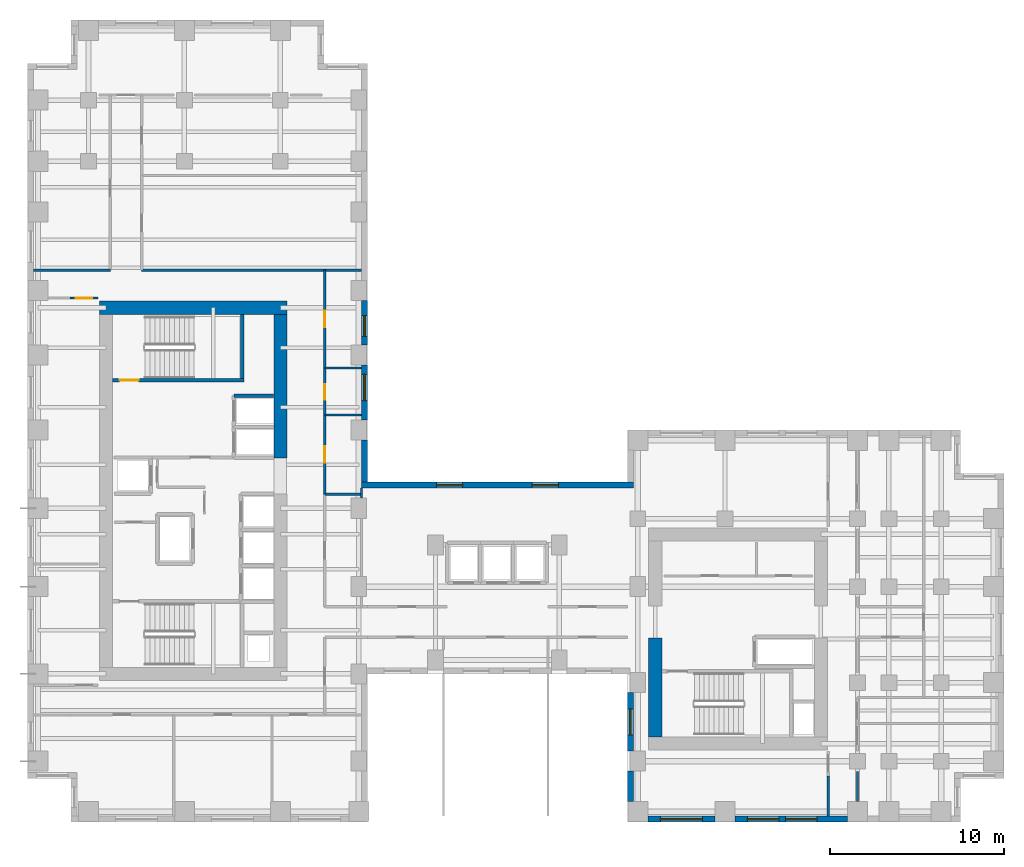
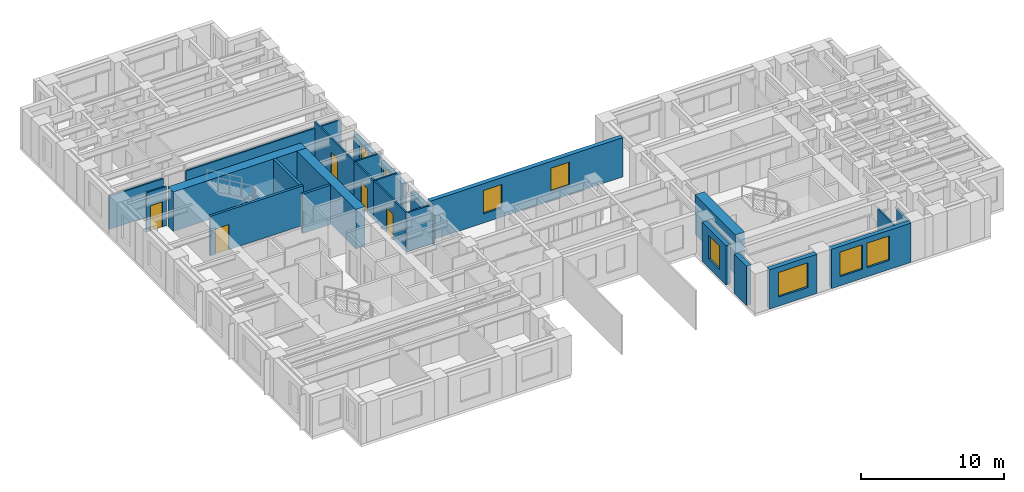
# One storey, part 6 of 11: 26 walls, 8 windows, 5 doors, 13 openings.
"""IFC4 building model written with IfcOpenShell, lengths in metres."""

from ifc_helpers import new_model, si_unit, direction, frame, frame_2d, origin, place, context, subcontext, project, spatial, rectangle, extrude, source, transform, mapped, material, layer, layer_set, type_object, element, fill, save


model = new_model("IFC4")

# Units and contexts
model_context = context("Model", 3, precision=1e-05, world=origin(), true_north=direction((0.0, 1.0)))
body_context = subcontext(model_context, "Body", "Model", "MODEL_VIEW")
ifc_project = project(units=[si_unit("LENGTHUNIT", "METRE"), si_unit("AREAUNIT", "SQUARE_METRE"), si_unit("VOLUMEUNIT", "CUBIC_METRE"), si_unit("PLANEANGLEUNIT", "RADIAN"), si_unit("MASSUNIT", "GRAM", prefix="KILO")], contexts=[model_context])

# Site, building, storey
site_placement = place(None, origin())
site = spatial("IfcSite", under=ifc_project, at=site_placement, CompositionType="ELEMENT")
building_placement = place(site_placement, origin())
building = spatial("IfcBuilding", under=site, at=building_placement, Name="Kharzan Plaza Tower", CompositionType="ELEMENT")
storey_placement = place(building_placement, frame((0.0, 0.0, 120.60009765625)))
storey = spatial("IfcBuildingStorey", under=building, at=storey_placement, Name="L32", CompositionType="ELEMENT", Elevation=120.60009765625)

# Wall, opening, window
ifc_material_1 = material(Name="Concrete C40/50", Category="concrete")
ifc_layer_1 = layer(ifc_material_1, 0.35009765625)
ifc_layer_set_1 = layer_set([ifc_layer_1], Name="Concrete C40/50")
wall_type_1 = type_object("IfcWallType", Name="WL-EXT-MAS-Z2", PredefinedType="SOLIDWALL", material=ifc_layer_set_1)
wall_1_placement = place(storey_placement, frame((19.324951171875, 23.072998046875, 0.0), z_axis=(0.0, 0.0, 1.0), x_axis=(0.0, 1.0, 0.0)))
wall_1 = element("IfcWall", 1, at=wall_1_placement, inside=storey, type_object=wall_type_1, Name="L32 Masonry-Frame Exterior Wall 02", PredefinedType="SOLIDWALL", context=body_context, shape_type="SweptSolid", body=[
    extrude(rectangle(XDim=3.154052734375, YDim=0.35009765625, at=frame_2d((1.5771484375, 0.0))), origin(), (0.0, 0.0, 1.0), 2.518798828125),
])
opening_1_placement = place(wall_1_placement, frame((1.10546875, 0.0, 0.780029296875)))
opening_1 = element("IfcOpeningElement", 2, at=opening_1_placement, cuts=wall_1, Name="Opening W5", PredefinedType="OPENING", context=body_context, shape_type="SweptSolid", body=[
    extrude(rectangle(XDim=1.5, YDim=1.55908203125, at=frame_2d((0.75, 0.779541015625))), frame((0.0, 0.18505859375, 0.0), z_axis=(0.0, -1.0, 0.0), x_axis=(1.0, 0.0, 0.0)), (0.0, 0.0, 1.0), 0.3701171875),
])
ifc_material_2 = material(Name="Low-E Double Glazing", Category="glass")
window_type_1 = type_object("IfcWindowType", Name="WN-SLT-1500x2000", PartitioningType="SINGLE_PANEL", PredefinedType="WINDOW", material=ifc_material_2)
shared_shape_1 = source(origin(), body_context, "Body", "SweptSolid", [
    extrude(rectangle(XDim=1.5, YDim=1.55908203125, at=frame_2d((0.75, 0.779541015625))), frame((0.0, 0.030029296875, 0.0), z_axis=(0.0, -1.0, 0.0), x_axis=(1.0, 0.0, 0.0)), (0.0, 0.0, 1.0), 0.06005859375),
])
window_1_placement = place(opening_1_placement, origin())
window_1 = element("IfcWindow", 3, at=window_1_placement, inside=storey, type_object=window_type_1, Name="L32 Recessed Solar-Control Window 02-1", OverallHeight=1.55908203125, OverallWidth=1.5, PartitioningType="SINGLE_PANEL", PredefinedType="WINDOW", context=body_context, shape_type="MappedRepresentation", body=[
    mapped(shared_shape_1, transform((0.0, 0.0, 0.0), x_axis=(1.0, 0.0, 0.0), y_axis=(0.0, 1.0, 0.0), z_axis=(0.0, 0.0, 1.0))),
])
fill(opening_1, window_1)

wall_2_placement = place(storey_placement, frame((19.324951171875, 27.373046875, 0.0), z_axis=(0.0, 0.0, 1.0), x_axis=(0.0, 1.0, 0.0)))
wall_2 = element("IfcWall", 4, at=wall_2_placement, inside=storey, type_object=wall_type_1, Name="L32 Masonry-Frame Exterior Wall 03", PredefinedType="SOLIDWALL", context=body_context, shape_type="SweptSolid", body=[
    extrude(rectangle(XDim=2.553955078125, YDim=0.35009765625, at=frame_2d((1.27685546875, 0.0))), origin(), (0.0, 0.0, 1.0), 2.518798828125),
])
opening_2_placement = place(wall_2_placement, frame((0.47998046875, 0.0, 0.780029296875)))
opening_2 = element("IfcOpeningElement", 5, at=opening_2_placement, cuts=wall_2, Name="Opening W3", PredefinedType="OPENING", context=body_context, shape_type="SweptSolid", body=[
    extrude(rectangle(XDim=1.199951171875, YDim=1.55908203125, at=frame_2d((0.60009765625, 0.779541015625))), frame((0.0, 0.18505859375, 0.0), z_axis=(0.0, -1.0, 0.0), x_axis=(1.0, 0.0, 0.0)), (0.0, 0.0, 1.0), 0.3701171875),
])
window_type_2 = type_object("IfcWindowType", Name="WN-REC-1200x2100", PartitioningType="SINGLE_PANEL", PredefinedType="WINDOW", material=ifc_material_2)
shared_shape_2 = source(origin(), body_context, "Body", "SweptSolid", [
    extrude(rectangle(XDim=1.199951171875, YDim=1.55908203125, at=frame_2d((0.60009765625, 0.779541015625))), frame((0.0, 0.030029296875, 0.0), z_axis=(0.0, -1.0, 0.0), x_axis=(1.0, 0.0, 0.0)), (0.0, 0.0, 1.0), 0.06005859375),
])
window_2_placement = place(opening_2_placement, origin())
window_2 = element("IfcWindow", 6, at=window_2_placement, inside=storey, type_object=window_type_2, Name="L32 Recessed Solar-Control Window 03-1", OverallHeight=1.55908203125, OverallWidth=1.199951171875, PartitioningType="SINGLE_PANEL", PredefinedType="WINDOW", context=body_context, shape_type="MappedRepresentation", body=[
    mapped(shared_shape_2, transform((0.0, 0.0, 0.0), x_axis=(1.0, 0.0, 0.0), y_axis=(0.0, 1.0, 0.0), z_axis=(0.0, 0.0, 1.0))),
])
fill(opening_2, window_2)

wall_3_placement = place(storey_placement, frame((34.574951171875, 7.427001953125, 0.0), z_axis=(0.0, 0.0, 1.0), x_axis=(0.0, -1.0, 0.0)))
wall_3 = element("IfcWall", 7, at=wall_3_placement, inside=storey, type_object=wall_type_1, Name="L32 Masonry-Frame Exterior Wall 37", PredefinedType="SOLIDWALL", context=body_context, shape_type="SweptSolid", body=[
    extrude(rectangle(XDim=3.35400390625, YDim=0.35009765625, at=frame_2d((1.677001953125, 0.0))), origin(), (0.0, 0.0, 1.0), 3.364990234375),
])
opening_3_placement = place(wall_3_placement, frame((0.927001953125, 0.0, 0.780029296875)))
opening_3 = element("IfcOpeningElement", 8, at=opening_3_placement, cuts=wall_3, Name="Opening W5", PredefinedType="OPENING", context=body_context, shape_type="SweptSolid", body=[
    extrude(rectangle(XDim=1.5, YDim=2.0, at=frame_2d((0.75, 1.0))), frame((0.0, 0.18505859375, 0.0), z_axis=(0.0, -1.0, 0.0), x_axis=(1.0, 0.0, 0.0)), (0.0, 0.0, 1.0), 0.3701171875),
])
shared_shape_3 = source(origin(), body_context, "Body", "SweptSolid", [
    extrude(rectangle(XDim=1.5, YDim=2.0, at=frame_2d((0.75, 1.0))), frame((0.0, 0.030029296875, 0.0), z_axis=(0.0, -1.0, 0.0), x_axis=(1.0, 0.0, 0.0)), (0.0, 0.0, 1.0), 0.06005859375),
])
window_3_placement = place(opening_3_placement, origin())
window_3 = element("IfcWindow", 9, at=window_3_placement, inside=storey, type_object=window_type_1, Name="L32 Recessed Solar-Control Window 37-1", OverallHeight=2.0, OverallWidth=1.5, PartitioningType="SINGLE_PANEL", PredefinedType="WINDOW", context=body_context, shape_type="MappedRepresentation", body=[
    mapped(shared_shape_3, transform((0.0, 0.0, 0.0), x_axis=(1.0, 0.0, 0.0), y_axis=(0.0, 1.0, 0.0), z_axis=(0.0, 0.0, 1.0))),
])
fill(opening_3, window_3)

wall_4_placement = place(storey_placement, frame((35.572998046875, 0.175048828125, 0.0), z_axis=(0.0, 0.0, 1.0), x_axis=(1.0, 0.0, 0.0)))
wall_4 = element("IfcWall", 10, at=wall_4_placement, inside=storey, type_object=wall_type_1, Name="L32 Masonry-Frame Exterior Wall 39", PredefinedType="SOLIDWALL", context=body_context, shape_type="SweptSolid", body=[
    extrude(rectangle(XDim=3.85400390625, YDim=0.35009765625, at=frame_2d((1.927001953125, 0.0))), origin(), (0.0, 0.0, 1.0), 3.364990234375),
])
opening_4_placement = place(wall_4_placement, frame((0.72705078125, 0.0, 0.780029296875)))
opening_4 = element("IfcOpeningElement", 11, at=opening_4_placement, cuts=wall_4, Name="Opening W2", PredefinedType="OPENING", context=body_context, shape_type="SweptSolid", body=[
    extrude(rectangle(XDim=2.39990234375, YDim=2.10009765625, at=frame_2d((1.199951171875, 1.050048828125))), frame((0.0, 0.18505859375, 0.0), z_axis=(0.0, -1.0, 0.0), x_axis=(1.0, 0.0, 0.0)), (0.0, 0.0, 1.0), 0.3701171875),
])
window_type_3 = type_object("IfcWindowType", Name="WN-REC-2400x2100", PartitioningType="SINGLE_PANEL", PredefinedType="WINDOW", material=ifc_material_2)
shared_shape_4 = source(origin(), body_context, "Body", "SweptSolid", [
    extrude(rectangle(XDim=2.39990234375, YDim=2.10009765625, at=frame_2d((1.199951171875, 1.050048828125))), frame((0.0, 0.030029296875, 0.0), z_axis=(0.0, -1.0, 0.0), x_axis=(1.0, 0.0, 0.0)), (0.0, 0.0, 1.0), 0.06005859375),
])
window_4_placement = place(opening_4_placement, origin())
window_4 = element("IfcWindow", 12, at=window_4_placement, inside=storey, type_object=window_type_3, Name="L32 Wide Recessed Solar-Control Window 39-1", OverallHeight=2.10009765625, OverallWidth=2.39990234375, PartitioningType="SINGLE_PANEL", PredefinedType="WINDOW", context=body_context, shape_type="MappedRepresentation", body=[
    mapped(shared_shape_4, transform((0.0, 0.0, 0.0), x_axis=(1.0, 0.0, 0.0), y_axis=(0.0, 1.0, 0.0), z_axis=(0.0, 0.0, 1.0))),
])
fill(opening_4, window_4)

# Wall, openings, windows
wall_5_placement = place(storey_placement, frame((40.572998046875, 0.175048828125, 0.0), z_axis=(0.0, 0.0, 1.0), x_axis=(1.0, 0.0, 0.0)))
wall_5 = element("IfcWall", 13, at=wall_5_placement, inside=storey, type_object=wall_type_1, Name="L32 Masonry-Frame Exterior Wall 40", PredefinedType="SOLIDWALL", context=body_context, shape_type="SweptSolid", body=[
    extrude(rectangle(XDim=6.4541015625, YDim=0.35009765625, at=frame_2d((3.22705078125, 0.0))), origin(), (0.0, 0.0, 1.0), 3.364990234375),
])
opening_5_placement = place(wall_5_placement, frame((0.71240234375, 0.0, 0.780029296875)))
opening_5 = element("IfcOpeningElement", 14, at=opening_5_placement, cuts=wall_5, Name="Opening W1", PredefinedType="OPENING", context=body_context, shape_type="SweptSolid", body=[
    extrude(rectangle(XDim=1.800048828125, YDim=2.10009765625, at=frame_2d((0.89990234375, 1.050048828125))), frame((0.0, 0.18505859375, 0.0), z_axis=(0.0, -1.0, 0.0), x_axis=(1.0, 0.0, 0.0)), (0.0, 0.0, 1.0), 0.3701171875),
])
opening_6_placement = place(wall_5_placement, frame((2.90478515625, 0.0, 0.780029296875)))
opening_6 = element("IfcOpeningElement", 15, at=opening_6_placement, cuts=wall_5, Name="Opening W1", PredefinedType="OPENING", context=body_context, shape_type="SweptSolid", body=[
    extrude(rectangle(XDim=1.800048828125, YDim=2.10009765625, at=frame_2d((0.89990234375, 1.050048828125))), frame((0.0, 0.18505859375, 0.0), z_axis=(0.0, -1.0, 0.0), x_axis=(1.0, 0.0, 0.0)), (0.0, 0.0, 1.0), 0.3701171875),
])
window_type_4 = type_object("IfcWindowType", Name="WN-REC-1800x2100", PartitioningType="SINGLE_PANEL", PredefinedType="WINDOW", material=ifc_material_2)
shared_shape_5 = source(origin(), body_context, "Body", "SweptSolid", [
    extrude(rectangle(XDim=1.800048828125, YDim=2.10009765625, at=frame_2d((0.89990234375, 1.050048828125))), frame((0.0, 0.030029296875, 0.0), z_axis=(0.0, -1.0, 0.0), x_axis=(1.0, 0.0, 0.0)), (0.0, 0.0, 1.0), 0.06005859375),
])
window_5_placement = place(opening_5_placement, origin())
window_5 = element("IfcWindow", 16, at=window_5_placement, inside=storey, type_object=window_type_4, Name="L32 Recessed Solar-Control Window 40-1", OverallHeight=2.10009765625, OverallWidth=1.800048828125, PartitioningType="SINGLE_PANEL", PredefinedType="WINDOW", context=body_context, shape_type="MappedRepresentation", body=[
    mapped(shared_shape_5, transform((0.0, 0.0, 0.0), x_axis=(1.0, 0.0, 0.0), y_axis=(0.0, 1.0, 0.0), z_axis=(0.0, 0.0, 1.0))),
])
fill(opening_5, window_5)
window_6_placement = place(opening_6_placement, origin())
window_6 = element("IfcWindow", 17, at=window_6_placement, inside=storey, type_object=window_type_4, Name="L32 Recessed Solar-Control Window 40-2", OverallHeight=2.10009765625, OverallWidth=1.800048828125, PartitioningType="SINGLE_PANEL", PredefinedType="WINDOW", context=body_context, shape_type="MappedRepresentation", body=[
    mapped(shared_shape_5, transform((0.0, 0.0, 0.0), x_axis=(1.0, 0.0, 0.0), y_axis=(0.0, 1.0, 0.0), z_axis=(0.0, 0.0, 1.0))),
])
fill(opening_6, window_6)

wall_6_placement = place(storey_placement, frame((34.75, 19.324951171875, 0.0), z_axis=(0.0, 0.0, 1.0), x_axis=(-1.0, 0.0, 0.0)))
wall_6 = element("IfcWall", 18, at=wall_6_placement, inside=storey, type_object=wall_type_1, Name="L32 Masonry-Frame Exterior Wall 58", PredefinedType="SOLIDWALL", context=body_context, shape_type="SweptSolid", body=[
    extrude(rectangle(XDim=15.60009765625, YDim=0.35009765625, at=frame_2d((7.800048828125, 0.0))), origin(), (0.0, 0.0, 1.0), 3.364990234375),
])
opening_7_placement = place(wall_6_placement, frame((4.306640625, 0.0, 0.780029296875)))
opening_7 = element("IfcOpeningElement", 19, at=opening_7_placement, cuts=wall_6, Name="Opening W5", PredefinedType="OPENING", context=body_context, shape_type="SweptSolid", body=[
    extrude(rectangle(XDim=1.5, YDim=2.0, at=frame_2d((0.75, 1.0))), frame((0.0, 0.18505859375, 0.0), z_axis=(0.0, -1.0, 0.0), x_axis=(1.0, 0.0, 0.0)), (0.0, 0.0, 1.0), 0.3701171875),
])
opening_8_placement = place(wall_6_placement, frame((9.793212890625, 0.0, 0.780029296875)))
opening_8 = element("IfcOpeningElement", 20, at=opening_8_placement, cuts=wall_6, Name="Opening W5", PredefinedType="OPENING", context=body_context, shape_type="SweptSolid", body=[
    extrude(rectangle(XDim=1.5, YDim=2.0, at=frame_2d((0.75, 1.0))), frame((0.0, 0.18505859375, 0.0), z_axis=(0.0, -1.0, 0.0), x_axis=(1.0, 0.0, 0.0)), (0.0, 0.0, 1.0), 0.3701171875),
])
window_7_placement = place(opening_7_placement, origin())
window_7 = element("IfcWindow", 21, at=window_7_placement, inside=storey, type_object=window_type_1, Name="L32 Recessed Solar-Control Window 58-1", OverallHeight=2.0, OverallWidth=1.5, PartitioningType="SINGLE_PANEL", PredefinedType="WINDOW", context=body_context, shape_type="MappedRepresentation", body=[
    mapped(shared_shape_3, transform((0.0, 0.0, 0.0), x_axis=(1.0, 0.0, 0.0), y_axis=(0.0, 1.0, 0.0), z_axis=(0.0, 0.0, 1.0))),
])
fill(opening_7, window_7)
window_8_placement = place(opening_8_placement, origin())
window_8 = element("IfcWindow", 22, at=window_8_placement, inside=storey, type_object=window_type_1, Name="L32 Recessed Solar-Control Window 58-2", OverallHeight=2.0, OverallWidth=1.5, PartitioningType="SINGLE_PANEL", PredefinedType="WINDOW", context=body_context, shape_type="MappedRepresentation", body=[
    mapped(shared_shape_3, transform((0.0, 0.0, 0.0), x_axis=(1.0, 0.0, 0.0), y_axis=(0.0, 1.0, 0.0), z_axis=(0.0, 0.0, 1.0))),
])
fill(opening_8, window_8)

# Wall, opening, door
ifc_material_3 = material(Name="Fire-Rated Gypsum Board Partition", Category="gypsum")
ifc_layer_2 = layer(ifc_material_3, 0.125)
ifc_layer_set_2 = layer_set([ifc_layer_2], Name="Fire-Rated Gypsum Board Partition")
wall_type_2 = type_object("IfcWallType", Name="WL-INT-PART-125", PredefinedType="PARTITIONING", material=ifc_layer_set_2)
wall_7_placement = place(storey_placement, frame((17.050048828125, 18.800048828125, 0.0), z_axis=(0.0, 0.0, 1.0), x_axis=(0.0, 1.0, 0.0)))
wall_7 = element("IfcWall", 23, at=wall_7_placement, inside=storey, type_object=wall_type_2, Name="L32 Interior Partition SH-AEWN2", PredefinedType="PARTITIONING", context=body_context, shape_type="SweptSolid", body=[
    extrude(rectangle(XDim=4.550048828125, YDim=0.125, at=frame_2d((2.27490234375, 0.0))), origin(), (0.0, 0.0, 1.0), 3.364990234375),
])
opening_9_placement = place(wall_7_placement, frame((1.800048828125, 0.0, 0.0)))
opening_9 = element("IfcOpeningElement", 24, at=opening_9_placement, cuts=wall_7, Name="Opening OD1", PredefinedType="OPENING", context=body_context, shape_type="SweptSolid", body=[
    extrude(rectangle(XDim=0.949951171875, YDim=2.14990234375, at=frame_2d((0.47509765625, 1.074951171875))), frame((0.0, 0.072509765625, 0.0), z_axis=(0.0, -1.0, 0.0), x_axis=(1.0, 0.0, 0.0)), (0.0, 0.0, 1.0), 0.14501953125),
])
ifc_material_4 = material(Name="Acoustic Solid-Core Stained Oak", Category="timber")
door_type_1 = type_object("IfcDoorType", Name="DR-OFF-SINGLE", OperationType="NOTDEFINED", PredefinedType="DOOR", material=ifc_material_4)
shared_shape_6 = source(origin(), body_context, "Body", "SweptSolid", [
    extrude(rectangle(XDim=0.949951171875, YDim=2.14990234375, at=frame_2d((0.47509765625, 1.074951171875))), frame((0.0, 0.02490234375, 0.0), z_axis=(0.0, -1.0, 0.0), x_axis=(1.0, 0.0, 0.0)), (0.0, 0.0, 1.0), 0.050048828125),
])
door_1_placement = place(opening_9_placement, origin())
door_1 = element("IfcDoor", 25, at=door_1_placement, inside=storey, type_object=door_type_1, Name="L32 Slot Studio Door", OperationType="SINGLE_SWING_LEFT", OverallHeight=2.14990234375, OverallWidth=0.949951171875, PredefinedType="DOOR", context=body_context, shape_type="MappedRepresentation", body=[
    mapped(shared_shape_6, transform((0.0, 0.0, 0.0), x_axis=(1.0, 0.0, 0.0), y_axis=(0.0, 1.0, 0.0), z_axis=(0.0, 0.0, 1.0))),
])
fill(opening_9, door_1)

wall_8_placement = place(storey_placement, frame((17.050048828125, 26.050048828125, 0.0), z_axis=(0.0, 0.0, 1.0), x_axis=(0.0, 1.0, 0.0)))
wall_8 = element("IfcWall", 26, at=wall_8_placement, inside=storey, type_object=wall_type_2, Name="L32 Interior Partition SH-AEWN3", PredefinedType="PARTITIONING", context=body_context, shape_type="SweptSolid", body=[
    extrude(rectangle(XDim=5.599853515625, YDim=0.125, at=frame_2d((2.7998046875, 0.0))), origin(), (0.0, 0.0, 1.0), 3.364990234375),
])
opening_10_placement = place(wall_8_placement, frame((2.324951171875, 0.0, 0.0)))
opening_10 = element("IfcOpeningElement", 27, at=opening_10_placement, cuts=wall_8, Name="Opening OD1", PredefinedType="OPENING", context=body_context, shape_type="SweptSolid", body=[
    extrude(rectangle(XDim=0.949951171875, YDim=2.14990234375, at=frame_2d((0.47509765625, 1.074951171875))), frame((0.0, 0.072509765625, 0.0), z_axis=(0.0, -1.0, 0.0), x_axis=(1.0, 0.0, 0.0)), (0.0, 0.0, 1.0), 0.14501953125),
])
door_2_placement = place(opening_10_placement, origin())
door_2 = element("IfcDoor", 28, at=door_2_placement, inside=storey, type_object=door_type_1, Name="L32 Staff Tea Point Door", OperationType="SINGLE_SWING_LEFT", OverallHeight=2.14990234375, OverallWidth=0.949951171875, PredefinedType="DOOR", context=body_context, shape_type="MappedRepresentation", body=[
    mapped(shared_shape_6, transform((0.0, 0.0, 0.0), x_axis=(1.0, 0.0, 0.0), y_axis=(0.0, 1.0, 0.0), z_axis=(0.0, 0.0, 1.0))),
])
fill(opening_10, door_2)

wall_9_placement = place(storey_placement, frame((17.050048828125, 23.35009765625, 0.0), z_axis=(0.0, 0.0, 1.0), x_axis=(0.0, 1.0, 0.0)))
wall_9 = element("IfcWall", 29, at=wall_9_placement, inside=storey, type_object=wall_type_2, Name="L32 Interior Partition SH-AEWW", PredefinedType="PARTITIONING", context=body_context, shape_type="SweptSolid", body=[
    extrude(rectangle(XDim=2.699951171875, YDim=0.125, at=frame_2d((1.35009765625, 0.0))), origin(), (0.0, 0.0, 1.0), 3.364990234375),
])
opening_11_placement = place(wall_9_placement, frame((0.875, 0.0, 0.0)))
opening_11 = element("IfcOpeningElement", 30, at=opening_11_placement, cuts=wall_9, Name="Opening WD1", PredefinedType="OPENING", context=body_context, shape_type="SweptSolid", body=[
    extrude(rectangle(XDim=0.89990234375, YDim=2.14990234375, at=frame_2d((0.449951171875, 1.074951171875))), frame((0.0, 0.072509765625, 0.0), z_axis=(0.0, -1.0, 0.0), x_axis=(1.0, 0.0, 0.0)), (0.0, 0.0, 1.0), 0.14501953125),
])
ifc_material_5 = material(Name="Moisture-Resistant Fire-Rated Laminate", Category="timber")
door_type_2 = type_object("IfcDoorType", Name="DR-WC-900", OperationType="NOTDEFINED", PredefinedType="DOOR", material=ifc_material_5)
shared_shape_7 = source(origin(), body_context, "Body", "SweptSolid", [
    extrude(rectangle(XDim=0.89990234375, YDim=2.14990234375, at=frame_2d((0.449951171875, 1.074951171875))), frame((0.0, 0.02490234375, 0.0), z_axis=(0.0, -1.0, 0.0), x_axis=(1.0, 0.0, 0.0)), (0.0, 0.0, 1.0), 0.050048828125),
])
door_3_placement = place(opening_11_placement, origin())
door_3 = element("IfcDoor", 31, at=door_3_placement, inside=storey, type_object=door_type_2, Name="L32 Wing A Washroom Door", OperationType="SINGLE_SWING_RIGHT", OverallHeight=2.14990234375, OverallWidth=0.89990234375, PredefinedType="DOOR", context=body_context, shape_type="MappedRepresentation", body=[
    mapped(shared_shape_7, transform((0.0, 0.0, 0.0), x_axis=(1.0, 0.0, 0.0), y_axis=(0.0, 1.0, 0.0), z_axis=(0.0, 0.0, 1.0))),
])
fill(opening_11, door_3)

wall_10_placement = place(storey_placement, frame((2.449951171875, 30.050048828125, 0.0), z_axis=(0.0, 0.0, 1.0), x_axis=(1.0, 0.0, 0.0)))
wall_10 = element("IfcWall", 32, at=wall_10_placement, inside=storey, type_object=wall_type_2, Name="L32 Interior Partition SH-RWND", PredefinedType="PARTITIONING", context=body_context, shape_type="SweptSolid", body=[
    extrude(rectangle(XDim=1.60009765625, YDim=0.125, at=frame_2d((0.800048828125, 0.0))), origin(), (0.0, 0.0, 1.0), 3.364990234375),
])
opening_12_placement = place(wall_10_placement, frame((0.324951171875, 0.0, 0.0)))
opening_12 = element("IfcOpeningElement", 33, at=opening_12_placement, cuts=wall_10, Name="Opening OD1", PredefinedType="OPENING", context=body_context, shape_type="SweptSolid", body=[
    extrude(rectangle(XDim=0.949951171875, YDim=2.14990234375, at=frame_2d((0.47509765625, 1.074951171875))), frame((0.0, 0.072509765625, 0.0), z_axis=(0.0, -1.0, 0.0), x_axis=(1.0, 0.0, 0.0)), (0.0, 0.0, 1.0), 0.14501953125),
])
door_4_placement = place(opening_12_placement, origin())
door_4 = element("IfcDoor", 34, at=door_4_placement, inside=storey, type_object=door_type_1, Name="L32 West Office 2 Door", OperationType="SINGLE_SWING_LEFT", OverallHeight=2.14990234375, OverallWidth=0.949951171875, PredefinedType="DOOR", context=body_context, shape_type="MappedRepresentation", body=[
    mapped(shared_shape_6, transform((0.0, 0.0, 0.0), x_axis=(1.0, 0.0, 0.0), y_axis=(0.0, 1.0, 0.0), z_axis=(0.0, 0.0, 1.0))),
])
fill(opening_12, door_4)

ifc_material_6 = material(Name="Concrete C50/60", Category="concrete")
ifc_layer_3 = layer(ifc_material_6, 0.199951171875)
ifc_layer_set_3 = layer_set([ifc_layer_3], Name="Concrete C50/60")
wall_type_3 = type_object("IfcWallType", Name="WL-SHAFT-RC200", PredefinedType="SHEAR", material=ifc_layer_set_3)
wall_11_placement = place(storey_placement, frame((4.876953125, 25.344970703125, 0.0), z_axis=(0.0, 0.0, 1.0), x_axis=(1.0, 0.0, 0.0)))
wall_11 = element("IfcWall", 35, at=wall_11_placement, inside=storey, type_object=wall_type_3, Name="L32 Stair ST-2 South RC Shaft Wall", PredefinedType="SHEAR", context=body_context, shape_type="SweptSolid", body=[
    extrude(rectangle(XDim=7.528076171875, YDim=0.199951171875, at=frame_2d((3.76416015625, 0.0))), origin(), (0.0, 0.0, 1.0), 3.3798828125),
])
opening_13_placement = place(wall_11_placement, frame((0.39990234375, 0.0, 0.0)))
opening_13 = element("IfcOpeningElement", 36, at=opening_13_placement, cuts=wall_11, Name="Opening SD1", PredefinedType="OPENING", context=body_context, shape_type="SweptSolid", body=[
    extrude(rectangle(XDim=1.10009765625, YDim=2.14990234375, at=frame_2d((0.550048828125, 1.074951171875))), frame((0.0, 0.10986328125, 0.0), z_axis=(0.0, -1.0, 0.0), x_axis=(1.0, 0.0, 0.0)), (0.0, 0.0, 1.0), 0.219970703125),
])
ifc_material_7 = material(Name="Fire-Rated Hollow Galvanized Steel", Category="steel")
door_type_3 = type_object("IfcDoorType", Name="DR-STAIR-FD120", OperationType="NOTDEFINED", PredefinedType="DOOR", material=ifc_material_7)
shared_shape_8 = source(origin(), body_context, "Body", "SweptSolid", [
    extrude(rectangle(XDim=1.10009765625, YDim=2.14990234375, at=frame_2d((0.550048828125, 1.074951171875))), frame((0.0, 0.02490234375, 0.0), z_axis=(0.0, -1.0, 0.0), x_axis=(1.0, 0.0, 0.0)), (0.0, 0.0, 1.0), 0.050048828125),
])
door_5_placement = place(opening_13_placement, origin())
door_5 = element("IfcDoor", 37, at=door_5_placement, inside=storey, type_object=door_type_3, Name="L32 Stair ST-2 Fire Exit Door", OperationType="SINGLE_SWING_RIGHT", OverallHeight=2.14990234375, OverallWidth=1.10009765625, PredefinedType="DOOR", context=body_context, shape_type="MappedRepresentation", body=[
    mapped(shared_shape_8, transform((0.0, 0.0, 0.0), x_axis=(1.0, 0.0, 0.0), y_axis=(0.0, 1.0, 0.0), z_axis=(0.0, 0.0, 1.0))),
])
fill(opening_13, door_5)

# Walls
shared_shape_9 = source(origin(), body_context, "Body", "SweptSolid", [
    extrude(rectangle(XDim=12.597900390625, YDim=0.125, at=frame_2d((6.298828125, 0.0))), origin(), (0.0, 0.0, 1.0), 2.827880859375),
])
wall_12_placement = place(storey_placement, frame((6.550048828125, 31.64990234375, 0.0), z_axis=(0.0, 0.0, 1.0), x_axis=(1.0, 0.0, 0.0)))
element("IfcWall", 38, at=wall_12_placement, inside=storey, type_object=wall_type_2, Name="L32 Interior Partition SH-NNE", PredefinedType="PARTITIONING", context=body_context, shape_type="MappedRepresentation", body=[
    mapped(shared_shape_9, transform((0.0, 0.0, 0.0), x_axis=(1.0, 0.0, 0.0), y_axis=(0.0, 1.0, 0.0), z_axis=(0.0, 0.0, 1.0))),
])
shared_shape_10 = source(origin(), body_context, "Body", "SweptSolid", [
    extrude(rectangle(XDim=4.39794921875, YDim=0.125, at=frame_2d((2.198974609375, 0.0))), origin(), (0.0, 0.0, 1.0), 2.827880859375),
])
wall_13_placement = place(storey_placement, frame((0.35205078125, 31.64990234375, 0.0), z_axis=(0.0, 0.0, 1.0), x_axis=(1.0, 0.0, 0.0)))
element("IfcWall", 39, at=wall_13_placement, inside=storey, type_object=wall_type_2, Name="L32 Interior Partition SH-NNW", PredefinedType="PARTITIONING", context=body_context, shape_type="MappedRepresentation", body=[
    mapped(shared_shape_10, transform((0.0, 0.0, 0.0), x_axis=(1.0, 0.0, 0.0), y_axis=(0.0, 1.0, 0.0), z_axis=(0.0, 0.0, 1.0))),
])
shared_shape_11 = source(origin(), body_context, "Body", "SweptSolid", [
    extrude(rectangle(XDim=2.2978515625, YDim=0.125, at=frame_2d((1.14892578125, 0.0))), origin(), (0.0, 0.0, 1.0), 3.364990234375),
])
wall_14_placement = place(storey_placement, frame((45.919921875, 0.35205078125, 0.0), z_axis=(0.0, 0.0, 1.0), x_axis=(0.0, 1.0, 0.0)))
element("IfcWall", 40, at=wall_14_placement, inside=storey, type_object=wall_type_2, Name="L32 Interior Partition SH-RBSE0", PredefinedType="PARTITIONING", context=body_context, shape_type="MappedRepresentation", body=[
    mapped(shared_shape_11, transform((0.0, 0.0, 0.0), x_axis=(1.0, 0.0, 0.0), y_axis=(0.0, 1.0, 0.0), z_axis=(0.0, 0.0, 1.0))),
])
shared_shape_12 = source(origin(), body_context, "Body", "SweptSolid", [
    extrude(rectangle(XDim=2.097900390625, YDim=0.125, at=frame_2d((1.048828125, 0.0))), origin(), (0.0, 0.0, 1.0), 3.364990234375),
])
for number, where, z_axis, x_axis, name in (
    (41, (17.050048828125, 23.35009765625, 0.0), (0.0, 0.0, 1.0), (1.0, 0.0, 0.0), "L32 Interior Partition SH-AEH-233"),
    (42, (17.050048828125, 26.050048828125, 0.0), (0.0, 0.0, 1.0), (1.0, 0.0, 0.0), "L32 Interior Partition SH-AEH-260"),
):
    element("IfcWall", number, at=place(storey_placement, frame(where, z_axis=z_axis, x_axis=x_axis)), inside=storey, type_object=wall_type_2, Name=name, PredefinedType="PARTITIONING", context=body_context, shape_type="MappedRepresentation", body=[
        mapped(shared_shape_12, transform((0.0, 0.0, 0.0), x_axis=(1.0, 0.0, 0.0), y_axis=(0.0, 1.0, 0.0), z_axis=(0.0, 0.0, 1.0))),
    ])
shared_shape_13 = source(origin(), body_context, "Body", "SweptSolid", [
    extrude(rectangle(XDim=2.099853515625, YDim=0.125, at=frame_2d((1.0498046875, 0.0))), origin(), (0.0, 0.0, 1.0), 3.364990234375),
])
wall_15_placement = place(storey_placement, frame((17.050048828125, 18.800048828125, 0.0), z_axis=(0.0, 0.0, 1.0), x_axis=(1.0, 0.0, 0.0)))
element("IfcWall", 43, at=wall_15_placement, inside=storey, type_object=wall_type_2, Name="L32 Interior Partition SH-AEH-188", PredefinedType="PARTITIONING", context=body_context, shape_type="MappedRepresentation", body=[
    mapped(shared_shape_13, transform((0.0, 0.0, 0.0), x_axis=(1.0, 0.0, 0.0), y_axis=(0.0, 1.0, 0.0), z_axis=(0.0, 0.0, 1.0))),
])
shared_shape_14 = source(origin(), body_context, "Body", "SweptSolid", [
    extrude(rectangle(XDim=1.75390625, YDim=0.35009765625, at=frame_2d((0.876953125, 0.0))), origin(), (0.0, 0.0, 1.0), 3.364990234375),
])
wall_16_placement = place(storey_placement, frame((34.574951171875, 2.927001953125, 0.0), z_axis=(0.0, 0.0, 1.0), x_axis=(0.0, -1.0, 0.0)))
element("IfcWall", 44, at=wall_16_placement, inside=storey, type_object=wall_type_1, Name="L32 Masonry-Frame Exterior Wall 38", PredefinedType="SOLIDWALL", context=body_context, shape_type="MappedRepresentation", body=[
    mapped(shared_shape_14, transform((0.0, 0.0, 0.0), x_axis=(1.0, 0.0, 0.0), y_axis=(0.0, 1.0, 0.0), z_axis=(0.0, 0.0, 1.0))),
])
shared_shape_15 = source(origin(), body_context, "Body", "SweptSolid", [
    extrude(rectangle(XDim=1.719970703125, YDim=0.125, at=frame_2d((0.85986328125, 0.0))), origin(), (0.0, 0.0, 1.0), 2.677001953125),
])
wall_17_placement = place(storey_placement, frame((47.60009765625, 1.18994140625, 0.0), z_axis=(0.0, 0.0, 1.0), x_axis=(0.0, 1.0, 0.0)))
element("IfcWall", 45, at=wall_17_placement, inside=storey, type_object=wall_type_2, Name="L32 Interior Partition SH-B2W0S", PredefinedType="PARTITIONING", context=body_context, shape_type="MappedRepresentation", body=[
    mapped(shared_shape_15, transform((0.0, 0.0, 0.0), x_axis=(1.0, 0.0, 0.0), y_axis=(0.0, 1.0, 0.0), z_axis=(0.0, 0.0, 1.0))),
])
ifc_layer_4 = layer(ifc_material_1, 0.199951171875)
ifc_layer_set_4 = layer_set([ifc_layer_4], Name="Concrete C40/50")
wall_type_4 = type_object("IfcWallType", Name="WL-INT-SHAFT-200", PredefinedType="PARTITIONING", material=ifc_layer_set_4)
shared_shape_16 = source(origin(), body_context, "Body", "SweptSolid", [
    extrude(rectangle(XDim=2.264892578125, YDim=0.199951171875, at=frame_2d((1.13232421875, 0.0))), origin(), (0.0, 0.0, 1.0), 3.364990234375),
])
wall_18_placement = place(storey_placement, frame((11.830078125, 24.4599609375, 0.0), z_axis=(0.0, 0.0, 1.0), x_axis=(1.0, 0.0, 0.0)))
element("IfcWall", 46, at=wall_18_placement, inside=storey, type_object=wall_type_4, Name="L32 Interior Partition SHF-FFL-2-N", PredefinedType="PARTITIONING", context=body_context, shape_type="MappedRepresentation", body=[
    mapped(shared_shape_16, transform((0.0, 0.0, 0.0), x_axis=(1.0, 0.0, 0.0), y_axis=(0.0, 1.0, 0.0), z_axis=(0.0, 0.0, 1.0))),
])
ifc_material_8 = material(Name="Concrete C60/75", Category="concrete")
ifc_layer_5 = layer(ifc_material_8, 0.75)
ifc_layer_set_5 = layer_set([ifc_layer_5], Name="Concrete C60/75")
wall_type_5 = type_object("IfcWallType", Name="WL-CORE-750", PredefinedType="SHEAR", material=ifc_layer_set_5)
shared_shape_17 = source(origin(), body_context, "Body", "SweptSolid", [
    extrude(rectangle(XDim=8.2451171875, YDim=0.75, at=frame_2d((4.12255859375, 0.0))), origin(), (0.0, 0.0, 1.0), 3.3798828125),
])
wall_19_placement = place(storey_placement, frame((14.5, 20.8798828125, 0.0), z_axis=(0.0, 0.0, 1.0), x_axis=(0.0, 1.0, 0.0)))
element("IfcWall", 47, at=wall_19_placement, inside=storey, type_object=wall_type_5, Name="L32 CORE-A east shear pier 2", PredefinedType="SHEAR", context=body_context, shape_type="MappedRepresentation", body=[
    mapped(shared_shape_17, transform((0.0, 0.0, 0.0), x_axis=(1.0, 0.0, 0.0), y_axis=(0.0, 1.0, 0.0), z_axis=(0.0, 0.0, 1.0))),
])
shared_shape_18 = source(origin(), body_context, "Body", "SweptSolid", [
    extrude(rectangle(XDim=10.75, YDim=0.75, at=frame_2d((5.375, 0.0))), origin(), (0.0, 0.0, 1.0), 3.3798828125),
])
wall_20_placement = place(storey_placement, frame((4.125, 29.5, 0.0), z_axis=(0.0, 0.0, 1.0), x_axis=(1.0, 0.0, 0.0)))
element("IfcWall", 48, at=wall_20_placement, inside=storey, type_object=wall_type_5, Name="L32 CORE-A north RC shear wall", PredefinedType="SHEAR", context=body_context, shape_type="MappedRepresentation", body=[
    mapped(shared_shape_18, transform((0.0, 0.0, 0.0), x_axis=(1.0, 0.0, 0.0), y_axis=(0.0, 1.0, 0.0), z_axis=(0.0, 0.0, 1.0))),
])
shared_shape_19 = source(origin(), body_context, "Body", "SweptSolid", [
    extrude(rectangle(XDim=5.675048828125, YDim=0.75, at=frame_2d((2.83740234375, 0.0))), origin(), (0.0, 0.0, 1.0), 3.3798828125),
])
wall_21_placement = place(storey_placement, frame((36.0, 4.875, 0.0), z_axis=(0.0, 0.0, 1.0), x_axis=(0.0, 1.0, 0.0)))
element("IfcWall", 49, at=wall_21_placement, inside=storey, type_object=wall_type_5, Name="L32 CORE-B west shear pier 1", PredefinedType="SHEAR", context=body_context, shape_type="MappedRepresentation", body=[
    mapped(shared_shape_19, transform((0.0, 0.0, 0.0), x_axis=(1.0, 0.0, 0.0), y_axis=(0.0, 1.0, 0.0), z_axis=(0.0, 0.0, 1.0))),
])
shared_shape_20 = source(origin(), body_context, "Body", "SweptSolid", [
    extrude(rectangle(XDim=3.677978515625, YDim=0.199951171875, at=frame_2d((1.8388671875, 0.0))), origin(), (0.0, 0.0, 1.0), 3.3798828125),
])
wall_22_placement = place(storey_placement, frame((12.304931640625, 25.445068359375, 0.0), z_axis=(0.0, 0.0, 1.0), x_axis=(0.0, 1.0, 0.0)))
element("IfcWall", 50, at=wall_22_placement, inside=storey, type_object=wall_type_3, Name="L32 Stair ST-2 East RC Shaft Wall", PredefinedType="SHEAR", context=body_context, shape_type="MappedRepresentation", body=[
    mapped(shared_shape_20, transform((0.0, 0.0, 0.0), x_axis=(1.0, 0.0, 0.0), y_axis=(0.0, 1.0, 0.0), z_axis=(0.0, 0.0, 1.0))),
])
shared_shape_21 = source(origin(), body_context, "Body", "SweptSolid", [
    extrude(rectangle(XDim=2.428955078125, YDim=0.35009765625, at=frame_2d((1.21435546875, 0.0))), origin(), (0.0, 0.0, 1.0), 2.518798828125),
])
wall_23_placement = place(storey_placement, frame((19.324951171875, 19.498046875, 0.0), z_axis=(0.0, 0.0, 1.0), x_axis=(0.0, 1.0, 0.0)))
element("IfcWall", 51, at=wall_23_placement, inside=storey, type_object=wall_type_1, Name="L32 Masonry-Frame Exterior Wall 01", PredefinedType="SOLIDWALL", context=body_context, shape_type="MappedRepresentation", body=[
    mapped(shared_shape_21, transform((0.0, 0.0, 0.0), x_axis=(1.0, 0.0, 0.0), y_axis=(0.0, 1.0, 0.0), z_axis=(0.0, 0.0, 1.0))),
])
shared_shape_22 = source(origin(), body_context, "Body", "SweptSolid", [
    extrude(rectangle(XDim=0.557861328125, YDim=0.125, at=frame_2d((0.27880859375, 0.0))), origin(), (0.0, 0.0, 1.0), 2.518798828125),
])
wall_24_placement = place(storey_placement, frame((19.14990234375, 18.590087890625, 0.0), z_axis=(0.0, 0.0, 1.0), x_axis=(0.0, 1.0, 0.0)))
element("IfcWall", 52, at=wall_24_placement, inside=storey, type_object=wall_type_2, Name="L32 Interior Partition SH-AEN-DIV-S3", PredefinedType="PARTITIONING", context=body_context, shape_type="MappedRepresentation", body=[
    mapped(shared_shape_22, transform((0.0, 0.0, 0.0), x_axis=(1.0, 0.0, 0.0), y_axis=(0.0, 1.0, 0.0), z_axis=(0.0, 0.0, 1.0))),
])

save(model, "model.ifc")
